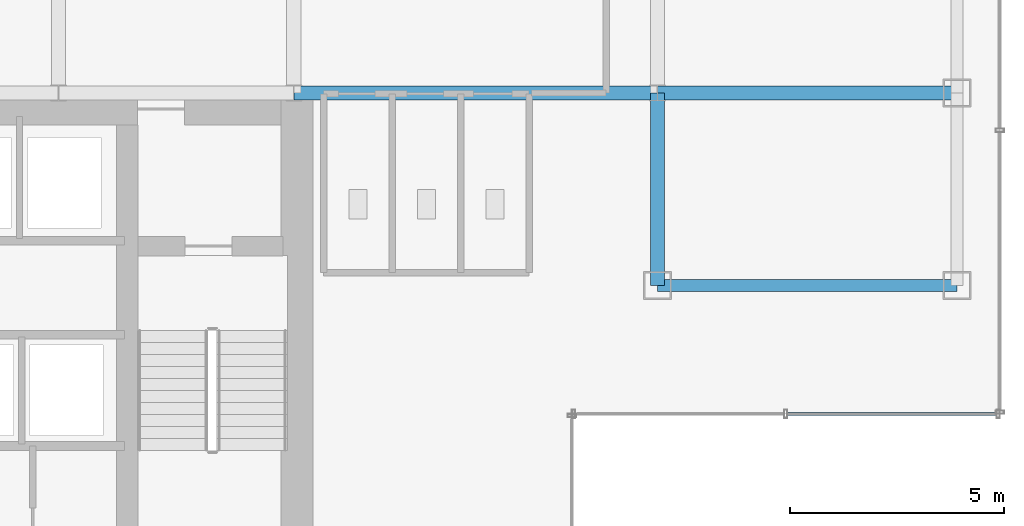
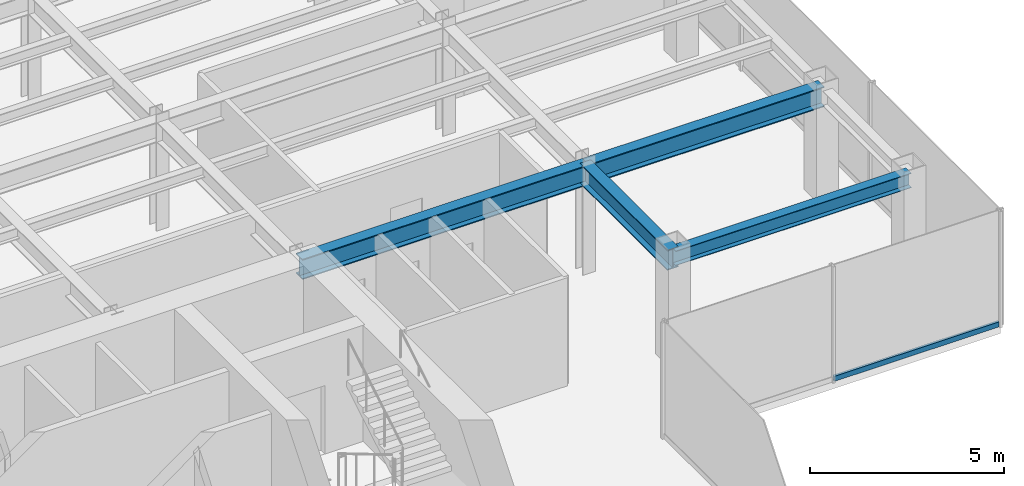
# One storey, part 10 of 25: 4 beams, 1 member, 1 element without a shape of its own.
"""IFC4 building model written with IfcOpenShell, lengths in metres."""

from ifc_helpers import new_model, si_unit, derived_unit, direction, frame, origin, origin_2d, place, context, subcontext, project, spatial, hollow_rectangle, i_section, extrude, source, transform, mapped, material, material_profile, profile_set, type_object, element, aggregate, save


model = new_model("IFC4")

# Units and contexts
model_context = context("Model", 3, precision=1e-05, world=origin(), true_north=direction((0.0, 1.0)))
body_context = subcontext(model_context, "Body", "Model", "MODEL_VIEW")
ifc_project = project(units=[si_unit("LENGTHUNIT", "METRE"), si_unit("AREAUNIT", "SQUARE_METRE"), si_unit("VOLUMEUNIT", "CUBIC_METRE"), si_unit("PLANEANGLEUNIT", "RADIAN"), si_unit("MASSUNIT", "GRAM", prefix="KILO"), derived_unit("THERMALTRANSMITTANCEUNIT", [(si_unit("POWERUNIT", "WATT"), 1), (si_unit("LENGTHUNIT", "METRE"), -2), (si_unit("THERMODYNAMICTEMPERATUREUNIT", "KELVIN"), -1)])], contexts=[model_context])

# Site, building, storey
site_placement = place(None, origin())
site = spatial("IfcSite", under=ifc_project, at=site_placement, CompositionType="ELEMENT")
building_placement = place(site_placement, origin())
building = spatial("IfcBuilding", under=site, at=building_placement, Name="Skarnbrae Concourse Arena and Tower", CompositionType="ELEMENT")
storey_placement = place(building_placement, frame((0.0, 0.0, 177.10009765625)))
storey = spatial("IfcBuildingStorey", under=building, at=storey_placement, Name="L45", CompositionType="ELEMENT", Elevation=177.10009765625)

# Beams
ifc_material_1 = material(Name="Steel CSA G40.21 350W", Category="steel")
ifc_material_profile_1 = material_profile(ifc_material_1, i_section(OverallWidth=0.280029296875, OverallDepth=0.462890625, WebThickness=0.0107421875, FlangeThickness=0.017333984375, at=origin_2d()), Name="W460X113")
ifc_profile_set_1 = profile_set([ifc_material_profile_1], Name="Steel CSA G40.21 350W")
beam_type_1 = type_object("IfcBeamType", Name="BM-SPAN-W460X113", PredefinedType="SPANDREL", material=ifc_profile_set_1)
shared_shape_1 = source(origin(), body_context, "Body", "SweptSolid", [
    extrude(i_section(OverallWidth=0.280029296875, OverallDepth=0.462890625, WebThickness=0.0107421875, FlangeThickness=0.017333984375, at=origin_2d()), origin(), (0.0, 0.0, 1.0), 7.0),
])
beam_1_placement = place(storey_placement, frame((42.0, 9.5, 3.16845703125), z_axis=(1.0, 0.0, 0.0), x_axis=(0.0, 1.0, 0.0)))
element("IfcBeam", 1, at=beam_1_placement, inside=storey, type_object=beam_type_1, Name="L45 Perimeter spandrel Y9.5-2", PredefinedType="SPANDREL", context=body_context, shape_type="MappedRepresentation", body=[
    mapped(shared_shape_1, transform((0.0, 0.0, 0.0))),
])
ifc_material_profile_2 = material_profile(ifc_material_1, i_section(OverallWidth=0.3291015625, OverallDepth=0.635009765625, WebThickness=0.017822265625, FlangeThickness=0.031005859375, at=origin_2d()), Name="W610X241")
ifc_profile_set_2 = profile_set([ifc_material_profile_2], Name="Steel CSA G40.21 350W")
beam_type_2 = type_object("IfcBeamType", Name="BM-GIRD-W610X241", PredefinedType="BEAM", material=ifc_profile_set_2)
shared_shape_2 = source(origin(), body_context, "Body", "SweptSolid", [
    extrude(i_section(OverallWidth=0.3291015625, OverallDepth=0.635009765625, WebThickness=0.017822265625, FlangeThickness=0.031005859375, at=origin_2d()), origin(), (0.0, 0.0, 1.0), 8.5),
])
beam_2_placement = place(storey_placement, frame((33.5, 14.0, 3.08251953125), z_axis=(1.0, 0.0, 0.0), x_axis=(0.0, 1.0, 0.0)))
element("IfcBeam", 2, at=beam_2_placement, inside=storey, type_object=beam_type_2, Name="L45 Primary E-W girder Y14.0-6", PredefinedType="BEAM", context=body_context, shape_type="MappedRepresentation", body=[
    mapped(shared_shape_2, transform((0.0, 0.0, 0.0))),
])
shared_shape_3 = source(origin(), body_context, "Body", "SweptSolid", [
    extrude(i_section(OverallWidth=0.3291015625, OverallDepth=0.635009765625, WebThickness=0.017822265625, FlangeThickness=0.031005859375, at=origin_2d()), origin(), (0.0, 0.0, 1.0), 7.0),
])
beam_3_placement = place(storey_placement, frame((42.0, 14.0, 3.08251953125), z_axis=(1.0, 0.0, 0.0), x_axis=(0.0, 1.0, 0.0)))
element("IfcBeam", 3, at=beam_3_placement, inside=storey, type_object=beam_type_2, Name="L45 Primary E-W girder Y14.0-7", PredefinedType="BEAM", context=body_context, shape_type="MappedRepresentation", body=[
    mapped(shared_shape_3, transform((0.0, 0.0, 0.0))),
])
shared_shape_4 = source(origin(), body_context, "Body", "SweptSolid", [
    extrude(i_section(OverallWidth=0.3291015625, OverallDepth=0.635009765625, WebThickness=0.017822265625, FlangeThickness=0.031005859375, at=origin_2d()), origin(), (0.0, 0.0, 1.0), 4.5),
])
beam_4_placement = place(storey_placement, frame((42.0, 9.5, 3.08251953125), z_axis=(0.0, 1.0, 0.0), x_axis=(-1.0, 0.0, 0.0)))
element("IfcBeam", 4, at=beam_4_placement, inside=storey, type_object=beam_type_2, Name="L45 Primary N-S girder X42.0-1", PredefinedType="BEAM", context=body_context, shape_type="MappedRepresentation", body=[
    mapped(shared_shape_4, transform((0.0, 0.0, 0.0))),
])

# Curtain wall, member
ifc_material_2 = material(Name="Bronze anodised aluminium 6063-T6", Category="aluminium")
curtain_wall_type = type_object("IfcCurtainWallType", Name="CW-SYS-04-MIDZONE", PredefinedType="USERDEFINED", material=ifc_material_2)
curtain_wall_placement = place(storey_placement, origin())
curtain_wall = element("IfcCurtainWall", 5, at=curtain_wall_placement, inside=storey, type_object=curtain_wall_type, Name="L45 Unitised curtain wall CW-L45-E03", ObjectType="UNITISED CURTAIN WALL", PredefinedType="USERDEFINED")
ifc_material_profile_3 = material_profile(ifc_material_2, hollow_rectangle(XDim=0.074951171875, YDim=0.159912109375, WallThickness=0.00439453125, at=origin_2d()), Name="ALU-TRAN-75X160")
ifc_profile_set_3 = profile_set([ifc_material_profile_3], Name="Bronze anodised aluminium 6063-T6")
member_type = type_object("IfcMemberType", Name="CWT-CW-04", PredefinedType="USERDEFINED", material=ifc_profile_set_3)
shared_shape_5 = source(origin(), body_context, "Body", "SweptSolid", [
    extrude(hollow_rectangle(XDim=0.074951171875, YDim=0.159912109375, WallThickness=0.00439453125, at=origin_2d()), origin(), (0.0, 0.0, 1.0), 4.887451171875),
])
member_placement = place(storey_placement, frame((45.03759765625, 6.5, 0.079833984375), z_axis=(1.0, 0.0, 0.0), x_axis=(0.0, 1.0, 0.0)))
member = element("IfcMember", 6, at=member_placement, type_object=member_type, Name="CW-L45-E03 Transom 2", ObjectType="TRANSOM", PredefinedType="USERDEFINED", context=body_context, shape_type="MappedRepresentation", body=[
    mapped(shared_shape_5, transform((0.0, 0.0, 0.0))),
])
aggregate(curtain_wall, [member])

save(model, "model.ifc")
